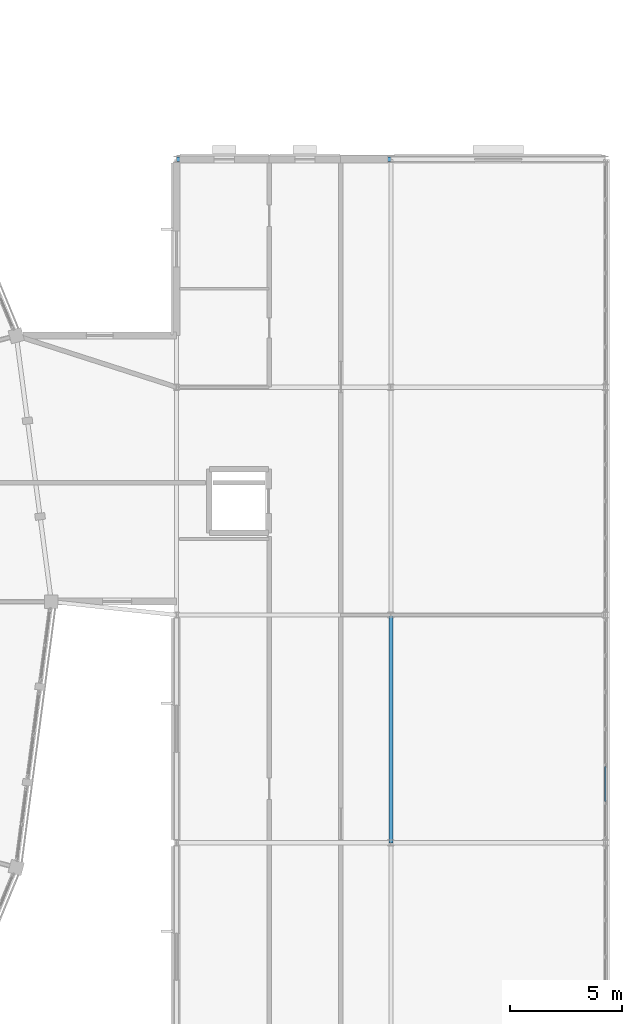
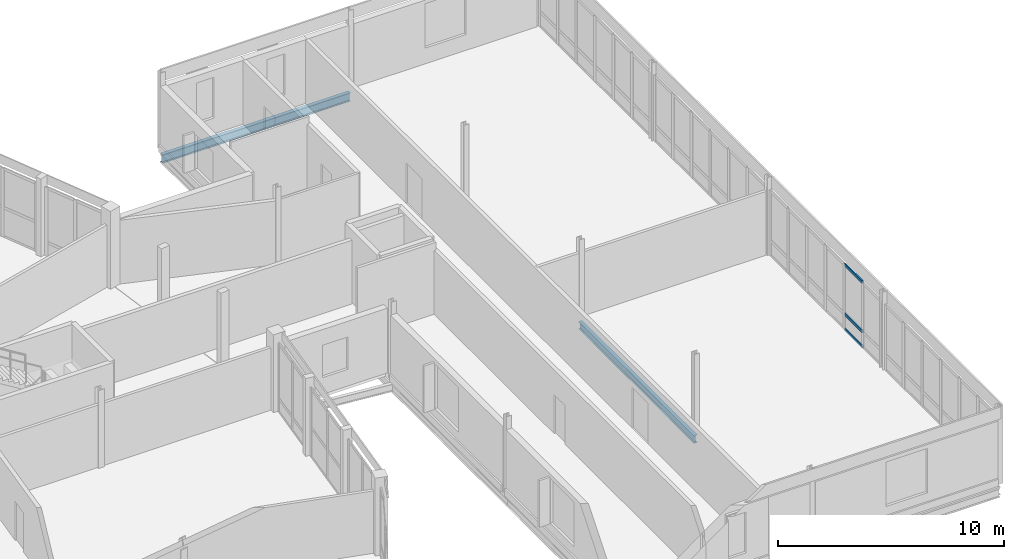
# One storey, part 116 of 170: 3 members, 2 beams, 1 element without a shape of its own.
"""IFC4 building model written with IfcOpenShell, lengths in metres."""

from ifc_helpers import new_model, si_unit, direction, frame, origin, origin_2d, place, context, subcontext, project, spatial, hollow_rectangle, i_section, extrude, material, material_profile, profile_set, type_object, element, aggregate, save


model = new_model("IFC4")

# Units and contexts
model_context = context("Model", 3, precision=1e-05, world=origin(), true_north=direction((0.0, 1.0)))
body_context = subcontext(model_context, "Body", "Model", "MODEL_VIEW")
ifc_project = project(units=[si_unit("LENGTHUNIT", "METRE"), si_unit("AREAUNIT", "SQUARE_METRE"), si_unit("VOLUMEUNIT", "CUBIC_METRE"), si_unit("PLANEANGLEUNIT", "RADIAN"), si_unit("MASSUNIT", "GRAM", prefix="KILO")], contexts=[model_context])

# Site, building, storey
site_placement = place(None, origin())
site = spatial("IfcSite", under=ifc_project, at=site_placement, CompositionType="ELEMENT")
building_placement = place(site_placement, origin())
building = spatial("IfcBuilding", under=site, at=building_placement, Name="Vondelvale Polytechnic", CompositionType="ELEMENT")
storey_placement = place(building_placement, frame((0.0, 0.0, 5.39990234375)))
storey = spatial("IfcBuildingStorey", under=building, at=storey_placement, Name="L01", CompositionType="ELEMENT", Elevation=5.39990234375)

# Beams
ifc_material_1 = material(Name="Steel 300PLUS (fy = 300 MPa)", Category="steel")
ifc_material_profile_1 = material_profile(ifc_material_1, i_section(OverallWidth=0.177978515625, OverallDepth=0.406005859375, WebThickness=0.0078125, FlangeThickness=0.0126953125, FilletRadius=0.011474609375, at=origin_2d()), Name="410UB59.7")
ifc_profile_set_1 = profile_set([ifc_material_profile_1], Name="Steel 300PLUS (fy = 300 MPa)")
beam_type_1 = type_object("IfcBeamType", Name="BM-UB410", PredefinedType="BEAM", material=ifc_profile_set_1)
beam_1_placement = place(storey_placement, frame((163.199951171875, 61.199951171875, -0.48291015625), z_axis=(0.0, 1.0, 0.0), x_axis=(-1.0, 0.0, 0.0)))
element("IfcBeam", 1, at=beam_1_placement, inside=storey, type_object=beam_type_1, Name="L01 B B-14", PredefinedType="BEAM", context=body_context, shape_type="SweptSolid", body=[
    extrude(i_section(OverallWidth=0.177978515625, OverallDepth=0.406005859375, WebThickness=0.0078125, FlangeThickness=0.0126953125, FilletRadius=0.011474609375, at=origin_2d()), origin(), (0.0, 0.0, 1.0), 10.199951171875),
])
ifc_material_profile_2 = material_profile(ifc_material_1, i_section(OverallWidth=0.19091796875, OverallDepth=0.4599609375, WebThickness=0.010009765625, FlangeThickness=0.01611328125, FilletRadius=0.011474609375, at=origin_2d()), Name="460UB82.1")
ifc_profile_set_2 = profile_set([ifc_material_profile_2], Name="Steel 300PLUS (fy = 300 MPa)")
beam_type_2 = type_object("IfcBeamType", Name="BM-UB460H", PredefinedType="BEAM", material=ifc_profile_set_2)
beam_2_placement = place(storey_placement, frame((153.60009765625, 91.800048828125, -0.510009765625), z_axis=(1.0, 0.0, 0.0), x_axis=(0.0, 1.0, 0.0)))
element("IfcBeam", 2, at=beam_2_placement, inside=storey, type_object=beam_type_2, Name="L01 B B-12", PredefinedType="BEAM", context=body_context, shape_type="SweptSolid", body=[
    extrude(i_section(OverallWidth=0.19091796875, OverallDepth=0.4599609375, WebThickness=0.010009765625, FlangeThickness=0.01611328125, FilletRadius=0.011474609375, at=origin_2d()), origin(), (0.0, 0.0, 1.0), 9.599853515625),
])

# Curtain wall, members
ifc_material_2 = material(Name="Anodised extruded aluminium 6063-T6", Category="aluminium")
curtain_wall_type = type_object("IfcCurtainWallType", Name="CW-REFECTORY", PredefinedType="NOTDEFINED", material=ifc_material_2)
curtain_wall_placement = place(storey_placement, origin())
curtain_wall = element("IfcCurtainWall", 3, at=curtain_wall_placement, inside=storey, type_object=curtain_wall_type, Name="L01 architectural curtain wall CW-05-390", PredefinedType="NOTDEFINED")
ifc_material_profile_3 = material_profile(ifc_material_2, hollow_rectangle(XDim=0.06494140625, YDim=0.159912109375, WallThickness=0.00341796875, at=origin_2d()), Name="CW-TRN-160x65")
ifc_profile_set_3 = profile_set([ifc_material_profile_3], Name="Anodised extruded aluminium 6063-T6")
member_type = type_object("IfcMemberType", Name="CW-TRN-70x160", PredefinedType="USERDEFINED", material=ifc_profile_set_3)
member_1_placement = place(storey_placement, frame((172.800048828125, 63.041748046875, 0.03271484375), z_axis=(0.0, 1.0, 0.0), x_axis=(-1.0, 0.0, 0.0)))
member_1 = element("IfcMember", 4, at=member_1_placement, type_object=member_type, Name="CW-05-390 transom 2.1", ObjectType="TRANSOM", PredefinedType="USERDEFINED", context=body_context, shape_type="SweptSolid", body=[
    extrude(hollow_rectangle(XDim=0.06494140625, YDim=0.159912109375, WallThickness=0.00341796875, at=origin_2d()), origin(), (0.0, 0.0, 1.0), 1.57666015625),
])
member_2_placement = place(storey_placement, frame((172.800048828125, 63.041748046875, 0.85009765625), z_axis=(0.0, 1.0, 0.0), x_axis=(-1.0, 0.0, 0.0)))
member_2 = element("IfcMember", 5, at=member_2_placement, type_object=member_type, Name="CW-05-390 transom 2.2", ObjectType="TRANSOM", PredefinedType="USERDEFINED", context=body_context, shape_type="SweptSolid", body=[
    extrude(hollow_rectangle(XDim=0.06494140625, YDim=0.159912109375, WallThickness=0.00341796875, at=origin_2d()), origin(), (0.0, 0.0, 1.0), 1.57666015625),
])
member_3_placement = place(storey_placement, frame((172.800048828125, 63.041748046875, 3.517578125), z_axis=(0.0, 1.0, 0.0), x_axis=(-1.0, 0.0, 0.0)))
member_3 = element("IfcMember", 6, at=member_3_placement, type_object=member_type, Name="CW-05-390 transom 2.3", ObjectType="TRANSOM", PredefinedType="USERDEFINED", context=body_context, shape_type="SweptSolid", body=[
    extrude(hollow_rectangle(XDim=0.06494140625, YDim=0.159912109375, WallThickness=0.00341796875, at=origin_2d()), origin(), (0.0, 0.0, 1.0), 1.57666015625),
])
aggregate(curtain_wall, [member_1, member_2, member_3])

save(model, "model.ifc")
